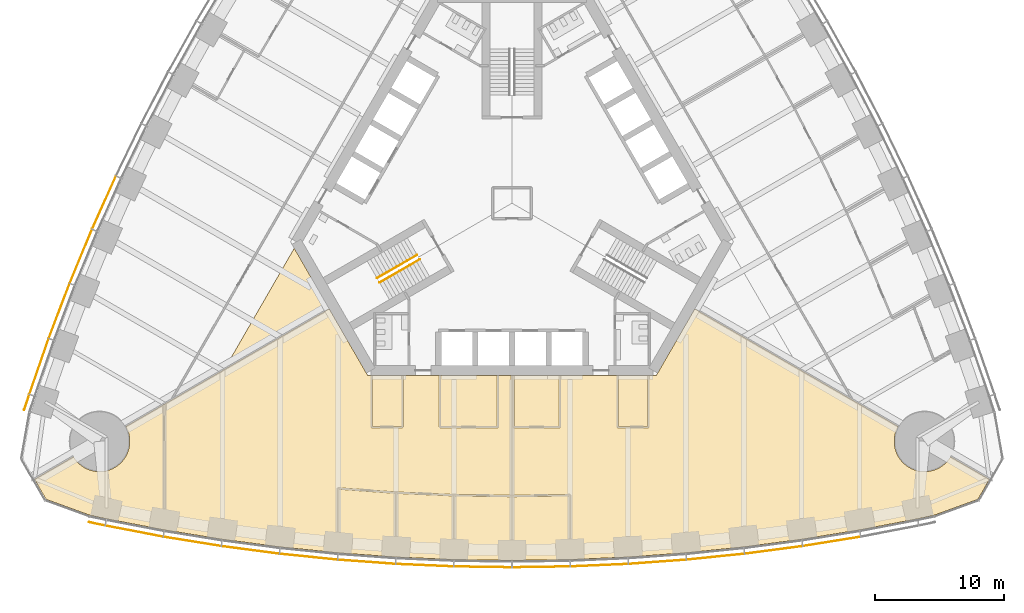
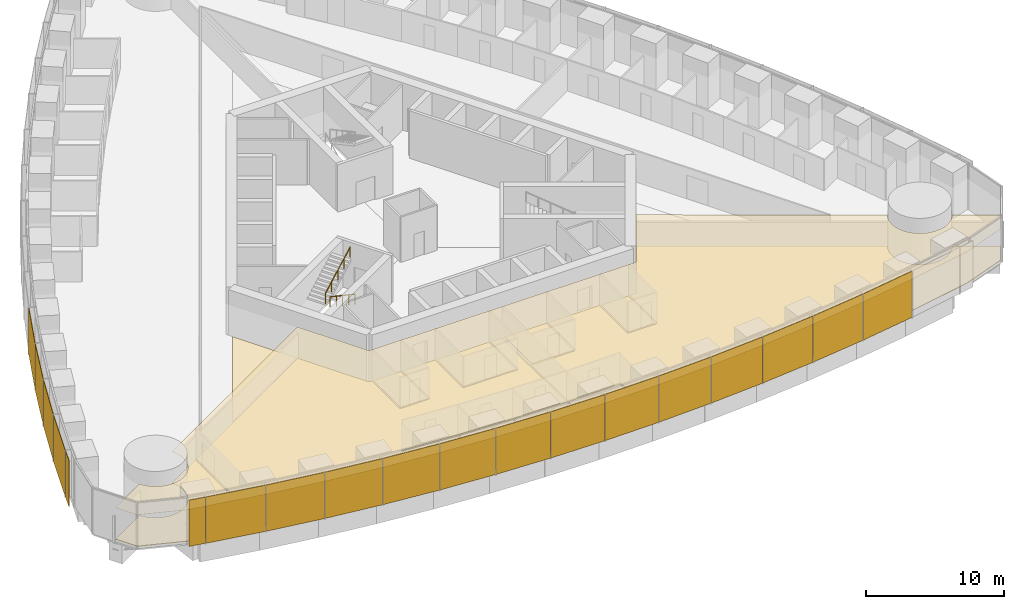
# One storey, part 14 of 18: 19 shading devices, 13 coverings, 2 railings.
"""IFC4 building model written with IfcOpenShell, lengths in metres."""

from ifc_helpers import new_model, si_unit, direction, frame, origin, origin_2d, place, context, subcontext, project, spatial, polyline, rectangle, circle, outline, extrude, material, layer, layer_set, type_object, element, save


model = new_model("IFC4")

# Units and contexts
model_context = context("Model", 3, precision=1e-05, world=origin(), true_north=direction((0.0, 1.0)))
body_context = subcontext(model_context, "Body", "Model", "MODEL_VIEW")
ifc_project = project(units=[si_unit("LENGTHUNIT", "METRE"), si_unit("AREAUNIT", "SQUARE_METRE"), si_unit("VOLUMEUNIT", "CUBIC_METRE"), si_unit("PLANEANGLEUNIT", "RADIAN"), si_unit("MASSUNIT", "GRAM", prefix="KILO")], contexts=[model_context])

# Site, building, storey
site_placement = place(None, origin())
site = spatial("IfcSite", under=ifc_project, at=site_placement, CompositionType="ELEMENT")
building_placement = place(site_placement, origin())
building = spatial("IfcBuilding", under=site, at=building_placement, Name="Trefoil Bronze Tower", CompositionType="ELEMENT")
storey_placement = place(building_placement, frame((0.0, 0.0, 75.300048828125)))
storey = spatial("IfcBuildingStorey", under=building, at=storey_placement, Name="L17", CompositionType="ELEMENT", Elevation=75.300048828125)

# Shading devices
ifc_material_1 = material(Name="Perforated bronze sheet", Category="bronze")
ifc_layer_1 = layer(ifc_material_1, 0.0400390625)
ifc_layer_set_1 = layer_set([ifc_layer_1], Name="Bronze solar screen panel")
shading_device_type = type_object("IfcShadingDeviceType", Name="Bronze solar screen panel", PredefinedType="SHUTTER", material=ifc_layer_set_1)
shading_device_1_placement = place(storey_placement, frame((-32.2431640625, -24.91064453125, 0.0498046875), z_axis=(0.0, 0.0, 1.0), x_axis=(0.978302717041, -0.207180582657, 0.0)))
element("IfcShadingDevice", 1, at=shading_device_1_placement, inside=storey, type_object=shading_device_type, Name="Solar screen CW-A L17 F1 bay 1", PredefinedType="SHUTTER", context=body_context, shape_type="SweptSolid", body=[
    extrude(rectangle(XDim=1.260498046875, YDim=0.0400390625, at=origin_2d()), origin(), (0.0, 0.0, 1.0), 4.10009765625),
])
shading_device_2_placement = place(storey_placement, frame((-29.351806640625, -25.478515625, 0.0498046875), z_axis=(0.0, 0.0, 1.0), x_axis=(0.982049823817, -0.188621694249, 0.0)))
element("IfcShadingDevice", 2, at=shading_device_2_placement, inside=storey, type_object=shading_device_type, Name="Solar screen CW-A L17 F1 bay 2", PredefinedType="SHUTTER", context=body_context, shape_type="SweptSolid", body=[
    extrude(rectangle(XDim=4.55224609375, YDim=0.0400390625, at=origin_2d()), origin(), (0.0, 0.0, 1.0), 4.10009765625),
])
shading_device_3_placement = place(storey_placement, frame((-24.836181640625, -26.277099609375, 0.0498046875), z_axis=(0.0, 0.0, 1.0), x_axis=(0.987181315145, -0.159602791421, 0.0)))
element("IfcShadingDevice", 3, at=shading_device_3_placement, inside=storey, type_object=shading_device_type, Name="Solar screen CW-A L17 F1 bay 3", PredefinedType="SHUTTER", context=body_context, shape_type="SweptSolid", body=[
    extrude(rectangle(XDim=4.5283203125, YDim=0.0400390625, at=origin_2d()), origin(), (0.0, 0.0, 1.0), 4.10009765625),
])
shading_device_4_placement = place(storey_placement, frame((-20.320556640625, -26.939697265625, 0.0498046875), z_axis=(0.0, 0.0, 1.0), x_axis=(0.991437251591, -0.130583981243, 0.0)))
element("IfcShadingDevice", 4, at=shading_device_4_placement, inside=storey, type_object=shading_device_type, Name="Solar screen CW-A L17 F1 bay 4", PredefinedType="SHUTTER", context=body_context, shape_type="SweptSolid", body=[
    extrude(rectangle(XDim=4.5087890625, YDim=0.0400390625, at=origin_2d()), origin(), (0.0, 0.0, 1.0), 4.10009765625),
])
shading_device_5_placement = place(storey_placement, frame((-15.804931640625, -27.467529296875, 0.0498046875), z_axis=(0.0, 0.0, 1.0), x_axis=(0.994828880293, -0.101565244717, 0.0)))
element("IfcShadingDevice", 5, at=shading_device_5_placement, inside=storey, type_object=shading_device_type, Name="Solar screen CW-A L17 F1 bay 5", PredefinedType="SHUTTER", context=body_context, shape_type="SweptSolid", body=[
    extrude(rectangle(XDim=4.493408203125, YDim=0.0400390625, at=origin_2d()), origin(), (0.0, 0.0, 1.0), 4.10009765625),
])
shading_device_6_placement = place(storey_placement, frame((-11.2890625, -27.8623046875, 0.0498046875), z_axis=(0.0, 0.0, 1.0), x_axis=(0.99736502647, -0.072546564177, 0.0)))
element("IfcShadingDevice", 6, at=shading_device_6_placement, inside=storey, type_object=shading_device_type, Name="Solar screen CW-A L17 F1 bay 6", PredefinedType="SHUTTER", context=body_context, shape_type="SweptSolid", body=[
    extrude(rectangle(XDim=4.48193359375, YDim=0.0400390625, at=origin_2d()), origin(), (0.0, 0.0, 1.0), 4.10009765625),
])
shading_device_7_placement = place(storey_placement, frame((-6.7734375, -28.124755859375, 0.0498046875), z_axis=(0.0, 0.0, 1.0), x_axis=(0.999052210809, -0.043527922969, 0.0)))
element("IfcShadingDevice", 7, at=shading_device_7_placement, inside=storey, type_object=shading_device_type, Name="Solar screen CW-A L17 F1 bay 7", PredefinedType="SHUTTER", context=body_context, shape_type="SweptSolid", body=[
    extrude(rectangle(XDim=4.474365234375, YDim=0.0400390625, at=origin_2d()), origin(), (0.0, 0.0, 1.0), 4.10009765625),
])
for number, where, z_axis, x_axis, name in (
    (8, (-2.2578125, -28.256103515625, 0.0498046875), (0.0, 0.0, 1.0), (0.999894734493, -0.014509305083, 0.0), "Solar screen CW-A L17 F1 bay 8"),
    (9, (2.2578125, -28.256103515625, 0.0498046875), (0.0, 0.0, 1.0), (0.999894734493, 0.014509305083, 0.0), "Solar screen CW-A L17 F1 bay 9"),
):
    element("IfcShadingDevice", number, at=place(storey_placement, frame(where, z_axis=z_axis, x_axis=x_axis)), inside=storey, type_object=shading_device_type, Name=name, PredefinedType="SHUTTER", context=body_context, shape_type="SweptSolid", body=[
        extrude(rectangle(XDim=4.470458984375, YDim=0.0400390625, at=origin_2d()), origin(), (0.0, 0.0, 1.0), 4.10009765625),
    ])
shading_device_8_placement = place(storey_placement, frame((6.7734375, -28.124755859375, 0.0498046875), z_axis=(0.0, 0.0, 1.0), x_axis=(0.999052210809, 0.043527922969, 0.0)))
element("IfcShadingDevice", 10, at=shading_device_8_placement, inside=storey, type_object=shading_device_type, Name="Solar screen CW-A L17 F1 bay 10", PredefinedType="SHUTTER", context=body_context, shape_type="SweptSolid", body=[
    extrude(rectangle(XDim=4.474365234375, YDim=0.0400390625, at=origin_2d()), origin(), (0.0, 0.0, 1.0), 4.10009765625),
])
shading_device_9_placement = place(storey_placement, frame((11.2890625, -27.8623046875, 0.0498046875), z_axis=(0.0, 0.0, 1.0), x_axis=(0.99736502647, 0.072546564177, 0.0)))
element("IfcShadingDevice", 11, at=shading_device_9_placement, inside=storey, type_object=shading_device_type, Name="Solar screen CW-A L17 F1 bay 11", PredefinedType="SHUTTER", context=body_context, shape_type="SweptSolid", body=[
    extrude(rectangle(XDim=4.48193359375, YDim=0.0400390625, at=origin_2d()), origin(), (0.0, 0.0, 1.0), 4.10009765625),
])
shading_device_10_placement = place(storey_placement, frame((15.804931640625, -27.467529296875, 0.0498046875), z_axis=(0.0, 0.0, 1.0), x_axis=(0.994828880293, 0.101565244717, 0.0)))
element("IfcShadingDevice", 12, at=shading_device_10_placement, inside=storey, type_object=shading_device_type, Name="Solar screen CW-A L17 F1 bay 12", PredefinedType="SHUTTER", context=body_context, shape_type="SweptSolid", body=[
    extrude(rectangle(XDim=4.493408203125, YDim=0.0400390625, at=origin_2d()), origin(), (0.0, 0.0, 1.0), 4.10009765625),
])
shading_device_11_placement = place(storey_placement, frame((20.320556640625, -26.939697265625, 0.0498046875), z_axis=(0.0, 0.0, 1.0), x_axis=(0.991437251591, 0.130583981243, 0.0)))
element("IfcShadingDevice", 13, at=shading_device_11_placement, inside=storey, type_object=shading_device_type, Name="Solar screen CW-A L17 F1 bay 13", PredefinedType="SHUTTER", context=body_context, shape_type="SweptSolid", body=[
    extrude(rectangle(XDim=4.5087890625, YDim=0.0400390625, at=origin_2d()), origin(), (0.0, 0.0, 1.0), 4.10009765625),
])
shading_device_12_placement = place(storey_placement, frame((24.836181640625, -26.277099609375, 0.0498046875), z_axis=(0.0, 0.0, 1.0), x_axis=(0.987181315145, 0.159602791421, 0.0)))
element("IfcShadingDevice", 14, at=shading_device_12_placement, inside=storey, type_object=shading_device_type, Name="Solar screen CW-A L17 F1 bay 14", PredefinedType="SHUTTER", context=body_context, shape_type="SweptSolid", body=[
    extrude(rectangle(XDim=4.5283203125, YDim=0.0400390625, at=origin_2d()), origin(), (0.0, 0.0, 1.0), 4.10009765625),
])
shading_device_13_placement = place(storey_placement, frame((-31.68994140625, 0.04638671875, 0.0498046875), z_axis=(0.0, 0.0, 1.0), x_axis=(-0.40945635808, -0.912329705111, 0.0)))
element("IfcShadingDevice", 15, at=shading_device_13_placement, inside=storey, type_object=shading_device_type, Name="Solar screen CW-A L17 F3 bay 12", PredefinedType="SHUTTER", context=body_context, shape_type="SweptSolid", body=[
    extrude(rectangle(XDim=4.493408203125, YDim=0.0400390625, at=origin_2d()), origin(), (0.0, 0.0, 1.0), 4.10009765625),
])
shading_device_14_placement = place(storey_placement, frame((-33.49072265625, -4.128173828125, 0.0498046875), z_axis=(0.0, 0.0, 1.0), x_axis=(-0.382629580712, -0.923901836758, 0.0)))
element("IfcShadingDevice", 16, at=shading_device_14_placement, inside=storey, type_object=shading_device_type, Name="Solar screen CW-A L17 F3 bay 13", PredefinedType="SHUTTER", context=body_context, shape_type="SweptSolid", body=[
    extrude(rectangle(XDim=4.5087890625, YDim=0.0400390625, at=origin_2d()), origin(), (0.0, 0.0, 1.0), 4.10009765625),
])
shading_device_15_placement = place(storey_placement, frame((-35.1748046875, -8.3701171875, 0.0498046875), z_axis=(0.0, 0.0, 1.0), x_axis=(-0.355370585687, -0.934725492767, 0.0)))
element("IfcShadingDevice", 17, at=shading_device_15_placement, inside=storey, type_object=shading_device_type, Name="Solar screen CW-A L17 F3 bay 14", PredefinedType="SHUTTER", context=body_context, shape_type="SweptSolid", body=[
    extrude(rectangle(XDim=4.5283203125, YDim=0.0400390625, at=origin_2d()), origin(), (0.0, 0.0, 1.0), 4.10009765625),
])
shading_device_16_placement = place(storey_placement, frame((-36.740966796875, -12.68017578125, 0.0498046875), z_axis=(0.0, 0.0, 1.0), x_axis=(-0.327673732984, -0.944790942332, 0.0)))
element("IfcShadingDevice", 18, at=shading_device_16_placement, inside=storey, type_object=shading_device_type, Name="Solar screen CW-A L17 F3 bay 15", PredefinedType="SHUTTER", context=body_context, shape_type="SweptSolid", body=[
    extrude(rectangle(XDim=4.55224609375, YDim=0.0400390625, at=origin_2d()), origin(), (0.0, 0.0, 1.0), 4.10009765625),
])
shading_device_17_placement = place(storey_placement, frame((-37.69482421875, -15.468017578125, 0.0498046875), z_axis=(0.0, 0.0, 1.0), x_axis=(-0.309727710769, -0.950825296877, 0.0)))
element("IfcShadingDevice", 19, at=shading_device_17_placement, inside=storey, type_object=shading_device_type, Name="Solar screen CW-A L17 F3 bay 16", PredefinedType="SHUTTER", context=body_context, shape_type="SweptSolid", body=[
    extrude(rectangle(XDim=1.260498046875, YDim=0.0400390625, at=origin_2d()), origin(), (0.0, 0.0, 1.0), 4.10009765625),
])

# Railings
ifc_material_2 = material(Name="Steel handrail", Category="steel")
railing_type = type_object("IfcRailingType", Name="Handrail 900", PredefinedType="HANDRAIL", material=ifc_material_2)
railing_1_placement = place(storey_placement, frame((-7.166015625, -4.3681640625, 0.161376953125)))
element("IfcRailing", 20, at=railing_1_placement, inside=storey, type_object=railing_type, Name="Handrail ST3 flight 1 L17", PredefinedType="HANDRAIL", context=body_context, shape_type="SweptSolid", body=[
    extrude(circle(Radius=0.02392578125, at=origin_2d()), frame((0.0, 0.0, 0.8759765625), z_axis=(-0.76250339821, -0.440245697338, 0.474101564745), x_axis=(0.500012057535, -0.866018442252, 0.0)), (0.0, 0.0, 1.0), 4.088623046875),
    extrude(circle(Radius=0.02099609375, at=origin_2d()), origin(), (0.0, 0.0, 1.0), 0.851806640625),
    extrude(circle(Radius=0.02099609375, at=origin_2d()), frame((-0.779296875, -0.449951171875, 0.484619140625)), (0.0, 0.0, 1.0), 0.851806640625),
    extrude(circle(Radius=0.02099609375, at=origin_2d()), frame((-1.558837890625, -0.89990234375, 0.96923828125)), (0.0, 0.0, 1.0), 0.851806640625),
    extrude(circle(Radius=0.02099609375, at=origin_2d()), frame((-2.33837890625, -1.35009765625, 1.453857421875)), (0.0, 0.0, 1.0), 0.851806640625),
    extrude(circle(Radius=0.02099609375, at=origin_2d()), frame((-3.11767578125, -1.800048828125, 1.9384765625)), (0.0, 0.0, 1.0), 0.851806640625),
])
railing_2_placement = place(storey_placement, frame((-10.483642578125, -5.82177734375, 2.261474609375)))
element("IfcRailing", 21, at=railing_2_placement, inside=storey, type_object=railing_type, Name="Handrail ST3 flight 2 L17", PredefinedType="HANDRAIL", context=body_context, shape_type="SweptSolid", body=[
    extrude(circle(Radius=0.02392578125, at=origin_2d()), frame((0.0, 0.0, 0.8759765625), z_axis=(0.76250339821, 0.440245697338, 0.474101564745), x_axis=(-0.500012057535, 0.866018442252, 0.0)), (0.0, 0.0, 1.0), 4.088623046875),
    extrude(circle(Radius=0.02099609375, at=origin_2d()), origin(), (0.0, 0.0, 1.0), 0.851806640625),
    extrude(circle(Radius=0.02099609375, at=origin_2d()), frame((0.779296875, 0.449951171875, 0.484619140625)), (0.0, 0.0, 1.0), 0.851806640625),
    extrude(circle(Radius=0.02099609375, at=origin_2d()), frame((1.558837890625, 0.89990234375, 0.96923828125)), (0.0, 0.0, 1.0), 0.851806640625),
    extrude(circle(Radius=0.02099609375, at=origin_2d()), frame((2.33837890625, 1.35009765625, 1.453857421875)), (0.0, 0.0, 1.0), 0.851806640625),
    extrude(circle(Radius=0.02099609375, at=origin_2d()), frame((3.11767578125, 1.800048828125, 1.9384765625)), (0.0, 0.0, 1.0), 0.851806640625),
])

# Coverings
ifc_material_3 = material(Name="Acoustic ceiling panels", Category="mineral fibre")
ifc_layer_2 = layer(ifc_material_3, 0.02001953125)
ifc_layer_set_2 = layer_set([ifc_layer_2], Name="Office ceiling 20")
covering_type_1 = type_object("IfcCoveringType", Name="Office ceiling 20", PredefinedType="CEILING", material=ifc_layer_set_2)
covering_1_placement = place(storey_placement, frame((0.0, 0.0, 2.89990234375)))
element("IfcCovering", 22, at=covering_1_placement, inside=storey, type_object=covering_type_1, Name="Ceiling L17 Open-plan office F1", PredefinedType="CEILING", context=body_context, shape_type="SweptSolid", body=[
    extrude(outline(polyline([(-33.996826171875, -19.8056640625), (-33.930419921875, -19.89990234375), (-33.859619140625, -19.99072265625), (-33.7841796875, -20.078125), (-33.70458984375, -20.16162109375), (-33.62109375, -20.2412109375), (-33.53369140625, -20.316650390625), (-33.44287109375, -20.387451171875), (-33.348388671875, -20.4541015625), (-33.251220703125, -20.515625), (-33.150634765625, -20.572509765625), (-33.047607421875, -20.62451171875), (-32.942138671875, -20.671142578125), (-32.834716796875, -20.712646484375), (-32.72509765625, -20.748779296875), (-32.614013671875, -20.779541015625), (-32.50146484375, -20.8046875), (-32.3876953125, -20.82470703125), (-32.273193359375, -20.838623046875), (-32.158203125, -20.84716796875), (-32.04296875, -20.85009765625), (-31.927490234375, -20.84716796875), (-31.8125, -20.838623046875), (-31.697998046875, -20.82470703125), (-31.58447265625, -20.8046875), (-31.471923828125, -20.779541015625), (-31.36083984375, -20.748779296875), (-31.251220703125, -20.712646484375), (-31.1435546875, -20.671142578125), (-31.0380859375, -20.62451171875), (-30.935302734375, -20.572509765625), (-30.834716796875, -20.515625), (-30.7373046875, -20.4541015625), (-30.64306640625, -20.387451171875), (-30.552001953125, -20.316650390625), (-30.46484375, -20.2412109375), (-30.381103515625, -20.16162109375), (-30.3017578125, -20.078125), (-30.226318359375, -19.99072265625), (-30.155517578125, -19.89990234375), (-30.089111328125, -19.8056640625), (-30.02734375, -19.7080078125), (-29.970458984375, -19.60791015625), (-29.918701171875, -19.5048828125), (-29.871826171875, -19.3994140625), (-29.830322265625, -19.291748046875), (-29.794189453125, -19.18212890625), (-29.763427734375, -19.071044921875), (-29.738037109375, -18.95849609375), (-29.718505859375, -18.8447265625), (-29.704345703125, -18.730224609375), (-29.69580078125, -18.615234375), (-29.69287109375, -18.5), (-29.69580078125, -18.384765625), (-29.704345703125, -18.269775390625), (-29.718505859375, -18.1552734375), (-29.738037109375, -18.04150390625), (-29.763427734375, -17.928955078125), (-29.794189453125, -17.81787109375), (-29.830322265625, -17.708251953125), (-29.871826171875, -17.6005859375), (-29.918701171875, -17.4951171875), (-29.970458984375, -17.39208984375), (-30.001953125, -17.336669921875), (-14.19970703125, -8.205322265625), (-11.20068359375, -13.39990234375), (11.20068359375, -13.39990234375), (14.19970703125, -8.205322265625), (30.001953125, -17.336669921875), (29.970458984375, -17.39208984375), (29.918701171875, -17.4951171875), (29.871826171875, -17.6005859375), (29.830322265625, -17.708251953125), (29.794189453125, -17.81787109375), (29.763427734375, -17.928955078125), (29.738037109375, -18.04150390625), (29.718505859375, -18.1552734375), (29.704345703125, -18.269775390625), (29.69580078125, -18.384765625), (29.69287109375, -18.5), (29.69580078125, -18.615234375), (29.704345703125, -18.730224609375), (29.718505859375, -18.8447265625), (29.738037109375, -18.95849609375), (29.763427734375, -19.071044921875), (29.794189453125, -19.18212890625), (29.830322265625, -19.291748046875), (29.871826171875, -19.3994140625), (29.918701171875, -19.5048828125), (29.970458984375, -19.60791015625), (30.02734375, -19.7080078125), (30.089111328125, -19.8056640625), (30.155517578125, -19.89990234375), (30.226318359375, -19.99072265625), (30.3017578125, -20.078125), (30.381103515625, -20.16162109375), (30.46484375, -20.2412109375), (30.552001953125, -20.316650390625), (30.64306640625, -20.387451171875), (30.7373046875, -20.4541015625), (30.834716796875, -20.515625), (30.935302734375, -20.572509765625), (31.0380859375, -20.62451171875), (31.1435546875, -20.671142578125), (31.251220703125, -20.712646484375), (31.36083984375, -20.748779296875), (31.471923828125, -20.779541015625), (31.58447265625, -20.8046875), (31.697998046875, -20.82470703125), (31.8125, -20.838623046875), (31.927490234375, -20.84716796875), (32.04296875, -20.85009765625), (32.158203125, -20.84716796875), (32.273193359375, -20.838623046875), (32.3876953125, -20.82470703125), (32.50146484375, -20.8046875), (32.614013671875, -20.779541015625), (32.72509765625, -20.748779296875), (32.834716796875, -20.712646484375), (32.942138671875, -20.671142578125), (33.047607421875, -20.62451171875), (33.150634765625, -20.572509765625), (33.251220703125, -20.515625), (33.348388671875, -20.4541015625), (33.44287109375, -20.387451171875), (33.53369140625, -20.316650390625), (33.62109375, -20.2412109375), (33.70458984375, -20.16162109375), (33.7841796875, -20.078125), (33.859619140625, -19.99072265625), (33.930419921875, -19.89990234375), (33.996826171875, -19.8056640625), (34.0703125, -19.6875), (37.094482421875, -21.43505859375), (36.190673828125, -23.0009765625), (32.762451171875, -24.248779296875), (31.5, -24.51611328125), (27.0, -25.38037109375), (22.5, -26.10791015625), (18.0, -26.70068359375), (13.5, -27.159912109375), (9.0, -27.4873046875), (4.5, -27.683349609375), (0.0, -27.748779296875), (-4.5, -27.683349609375), (-9.0, -27.4873046875), (-13.5, -27.159912109375), (-18.0, -26.70068359375), (-22.5, -26.10791015625), (-27.0, -25.38037109375), (-31.5, -24.51611328125), (-32.762451171875, -24.248779296875), (-36.190673828125, -23.0009765625), (-37.094482421875, -21.43505859375), (-34.0703125, -19.6875), (-33.996826171875, -19.8056640625)])), origin(), (0.0, 0.0, 1.0), 0.02001953125),
])
ifc_material_4 = material(Name="Raised access floor panels", Category="steel")
ifc_layer_3 = layer(ifc_material_4, 0.050048828125)
ifc_layer_set_3 = layer_set([ifc_layer_3], Name="Raised access floor 150")
covering_type_2 = type_object("IfcCoveringType", Name="Raised access floor 150", PredefinedType="FLOORING", material=ifc_layer_set_3)
covering_2_placement = place(storey_placement, frame((0.0, 0.0, 0.099853515625)))
element("IfcCovering", 23, at=covering_2_placement, inside=storey, type_object=covering_type_2, Name="Raised floor L17 Kitchen and breakout F1", PredefinedType="FLOORING", context=body_context, shape_type="SweptSolid", body=[
    extrude(outline(polyline([(-30.001953125, -17.336669921875), (-27.0, -15.60205078125), (-27.0, -15.652099609375), (-27.06005859375, -15.652099609375), (-27.06005859375, -23.72509765625), (-27.0, -23.72509765625), (-27.0, -25.38037109375), (-31.5, -24.51611328125), (-32.762451171875, -24.248779296875), (-36.190673828125, -23.0009765625), (-37.094482421875, -21.43505859375), (-34.0703125, -19.6875), (-33.996826171875, -19.8056640625), (-33.930419921875, -19.89990234375), (-33.859619140625, -19.99072265625), (-33.7841796875, -20.078125), (-33.70458984375, -20.16162109375), (-33.62109375, -20.2412109375), (-33.53369140625, -20.316650390625), (-33.44287109375, -20.387451171875), (-33.348388671875, -20.4541015625), (-33.251220703125, -20.515625), (-33.150634765625, -20.572509765625), (-33.047607421875, -20.62451171875), (-32.942138671875, -20.671142578125), (-32.834716796875, -20.712646484375), (-32.72509765625, -20.748779296875), (-32.614013671875, -20.779541015625), (-32.50146484375, -20.8046875), (-32.3876953125, -20.82470703125), (-32.273193359375, -20.838623046875), (-32.158203125, -20.84716796875), (-32.04296875, -20.85009765625), (-31.927490234375, -20.84716796875), (-31.8125, -20.838623046875), (-31.697998046875, -20.82470703125), (-31.58447265625, -20.8046875), (-31.471923828125, -20.779541015625), (-31.36083984375, -20.748779296875), (-31.251220703125, -20.712646484375), (-31.1435546875, -20.671142578125), (-31.0380859375, -20.62451171875), (-30.935302734375, -20.572509765625), (-30.834716796875, -20.515625), (-30.7373046875, -20.4541015625), (-30.64306640625, -20.387451171875), (-30.552001953125, -20.316650390625), (-30.46484375, -20.2412109375), (-30.381103515625, -20.16162109375), (-30.3017578125, -20.078125), (-30.226318359375, -19.99072265625), (-30.155517578125, -19.89990234375), (-30.089111328125, -19.8056640625), (-30.02734375, -19.7080078125), (-29.970458984375, -19.60791015625), (-29.918701171875, -19.5048828125), (-29.871826171875, -19.3994140625), (-29.830322265625, -19.291748046875), (-29.794189453125, -19.18212890625), (-29.763427734375, -19.071044921875), (-29.738037109375, -18.95849609375), (-29.718505859375, -18.8447265625), (-29.704345703125, -18.730224609375), (-29.69580078125, -18.615234375), (-29.69287109375, -18.5), (-29.69580078125, -18.384765625), (-29.704345703125, -18.269775390625), (-29.718505859375, -18.1552734375), (-29.738037109375, -18.04150390625), (-29.763427734375, -17.928955078125), (-29.794189453125, -17.81787109375), (-29.830322265625, -17.708251953125), (-29.871826171875, -17.6005859375), (-29.918701171875, -17.4951171875), (-29.970458984375, -17.39208984375), (-30.001953125, -17.336669921875)])), origin(), (0.0, 0.0, 1.0), 0.050048828125),
])
covering_3_placement = place(storey_placement, frame((0.0, 0.0, 0.099853515625)))
element("IfcCovering", 24, at=covering_3_placement, inside=storey, type_object=covering_type_2, Name="Raised floor L17 Project room F1", PredefinedType="FLOORING", context=body_context, shape_type="SweptSolid", body=[
    extrude(outline(polyline([(-1.159912109375, -13.39990234375), (-1.159912109375, -17.340087890625), (-5.5400390625, -17.340087890625), (-5.5400390625, -13.39990234375), (-1.159912109375, -13.39990234375)])), origin(), (0.0, 0.0, 1.0), 0.050048828125),
])
covering_4_placement = place(storey_placement, frame((0.0, 0.0, 0.099853515625)))
element("IfcCovering", 25, at=covering_4_placement, inside=storey, type_object=covering_type_2, Name="Raised floor L17 Meeting room F1", PredefinedType="FLOORING", context=body_context, shape_type="SweptSolid", body=[
    extrude(outline(polyline([(3.6650390625, -13.39990234375), (3.6650390625, -17.340087890625), (0.18505859375, -17.340087890625), (0.18505859375, -13.39990234375), (3.6650390625, -13.39990234375)])), origin(), (0.0, 0.0, 1.0), 0.050048828125),
])
covering_5_placement = place(storey_placement, frame((0.0, 0.0, 0.099853515625)))
element("IfcCovering", 26, at=covering_5_placement, inside=storey, type_object=covering_type_2, Name="Raised floor L17 Print and store room F1", PredefinedType="FLOORING", context=body_context, shape_type="SweptSolid", body=[
    extrude(outline(polyline([(-8.56005859375, -13.39990234375), (-8.56005859375, -17.340087890625), (-10.840087890625, -17.340087890625), (-10.840087890625, -13.39990234375), (-8.56005859375, -13.39990234375)])), origin(), (0.0, 0.0, 1.0), 0.050048828125),
])
covering_6_placement = place(storey_placement, frame((0.0, 0.0, 0.099853515625)))
element("IfcCovering", 27, at=covering_6_placement, inside=storey, type_object=covering_type_2, Name="Raised floor L17 Comms room F1", PredefinedType="FLOORING", context=body_context, shape_type="SweptSolid", body=[
    extrude(outline(polyline([(10.5400390625, -13.39990234375), (10.5400390625, -17.340087890625), (8.260009765625, -17.340087890625), (8.260009765625, -13.39990234375), (10.5400390625, -13.39990234375)])), origin(), (0.0, 0.0, 1.0), 0.050048828125),
])
covering_7_placement = place(storey_placement, frame((0.0, 0.0, 0.099853515625)))
element("IfcCovering", 28, at=covering_7_placement, inside=storey, type_object=covering_type_2, Name="Raised floor L17 Office F1", PredefinedType="FLOORING", context=body_context, shape_type="SweptSolid", body=[
    extrude(outline(polyline([(-9.0, -27.4873046875), (-13.5, -27.159912109375), (-13.5, -25.52392578125), (-13.43994140625, -25.52392578125), (-13.43994140625, -22.224609375), (-9.06005859375, -22.543212890625), (-9.06005859375, -25.8544921875), (-9.0, -25.8544921875), (-9.0, -27.4873046875)])), origin(), (0.0, 0.0, 1.0), 0.050048828125),
])
covering_8_placement = place(storey_placement, frame((0.0, 0.0, 0.099853515625)))
element("IfcCovering", 29, at=covering_8_placement, inside=storey, type_object=covering_type_2, Name="Raised floor L17 Office F1", PredefinedType="FLOORING", context=body_context, shape_type="SweptSolid", body=[
    extrude(outline(polyline([(-4.5, -27.683349609375), (-9.0, -27.4873046875), (-9.0, -25.8544921875), (-8.93994140625, -25.8544921875), (-8.93994140625, -22.550048828125), (-4.56005859375, -22.740966796875), (-4.56005859375, -26.052734375), (-4.5, -26.052734375), (-4.5, -27.683349609375)])), origin(), (0.0, 0.0, 1.0), 0.050048828125),
])
covering_9_placement = place(storey_placement, frame((0.0, 0.0, 0.099853515625)))
element("IfcCovering", 30, at=covering_9_placement, inside=storey, type_object=covering_type_2, Name="Raised floor L17 Office F1", PredefinedType="FLOORING", context=body_context, shape_type="SweptSolid", body=[
    extrude(outline(polyline([(0.0, -27.748779296875), (-4.5, -27.683349609375), (-4.5, -26.052734375), (-4.43994140625, -26.052734375), (-4.43994140625, -22.744384765625), (-0.074951171875, -22.8076171875), (-0.074951171875, -26.11865234375), (0.0, -26.11865234375), (0.0, -27.748779296875)])), origin(), (0.0, 0.0, 1.0), 0.050048828125),
])
covering_10_placement = place(storey_placement, frame((0.0, 0.0, 0.099853515625)))
element("IfcCovering", 31, at=covering_10_placement, inside=storey, type_object=covering_type_2, Name="Raised floor L17 Office F1", PredefinedType="FLOORING", context=body_context, shape_type="SweptSolid", body=[
    extrude(outline(polyline([(4.5, -27.683349609375), (0.0, -27.748779296875), (0.0, -26.11865234375), (0.074951171875, -26.11865234375), (0.074951171875, -22.8076171875), (4.43994140625, -22.744384765625), (4.43994140625, -26.052734375), (4.5, -26.052734375), (4.5, -27.683349609375)])), origin(), (0.0, 0.0, 1.0), 0.050048828125),
])
covering_11_placement = place(storey_placement, frame((0.0, 0.0, 0.099853515625)))
element("IfcCovering", 32, at=covering_11_placement, inside=storey, type_object=covering_type_2, Name="Raised floor L17 Open-plan office F1", PredefinedType="FLOORING", context=body_context, shape_type="SweptSolid", body=[
    extrude(outline(polyline([(4.5, -27.683349609375), (4.5, -26.052734375), (4.56005859375, -26.052734375), (4.56005859375, -22.683349609375), (4.5, -22.683349609375), (4.4990234375, -22.623291015625), (0.074951171875, -22.6875), (0.074951171875, -17.39990234375), (0.125, -17.39990234375), (0.125, -17.4599609375), (3.72509765625, -17.4599609375), (3.72509765625, -17.39990234375), (3.784912109375, -17.39990234375), (3.784912109375, -13.39990234375), (8.139892578125, -13.39990234375), (8.139892578125, -17.39990234375), (8.199951171875, -17.39990234375), (8.199951171875, -17.4599609375), (10.60009765625, -17.4599609375), (10.60009765625, -17.39990234375), (10.659912109375, -17.39990234375), (10.659912109375, -13.39990234375), (11.20068359375, -13.39990234375), (14.19970703125, -8.205322265625), (30.001953125, -17.336669921875), (29.970458984375, -17.39208984375), (29.918701171875, -17.4951171875), (29.871826171875, -17.6005859375), (29.830322265625, -17.708251953125), (29.794189453125, -17.81787109375), (29.763427734375, -17.928955078125), (29.738037109375, -18.04150390625), (29.718505859375, -18.1552734375), (29.704345703125, -18.269775390625), (29.69580078125, -18.384765625), (29.69287109375, -18.5), (29.69580078125, -18.615234375), (29.704345703125, -18.730224609375), (29.718505859375, -18.8447265625), (29.738037109375, -18.95849609375), (29.763427734375, -19.071044921875), (29.794189453125, -19.18212890625), (29.830322265625, -19.291748046875), (29.871826171875, -19.3994140625), (29.918701171875, -19.5048828125), (29.970458984375, -19.60791015625), (30.02734375, -19.7080078125), (30.089111328125, -19.8056640625), (30.155517578125, -19.89990234375), (30.226318359375, -19.99072265625), (30.3017578125, -20.078125), (30.381103515625, -20.16162109375), (30.46484375, -20.2412109375), (30.552001953125, -20.316650390625), (30.64306640625, -20.387451171875), (30.7373046875, -20.4541015625), (30.834716796875, -20.515625), (30.935302734375, -20.572509765625), (31.0380859375, -20.62451171875), (31.1435546875, -20.671142578125), (31.251220703125, -20.712646484375), (31.36083984375, -20.748779296875), (31.471923828125, -20.779541015625), (31.58447265625, -20.8046875), (31.697998046875, -20.82470703125), (31.8125, -20.838623046875), (31.927490234375, -20.84716796875), (32.04296875, -20.85009765625), (32.158203125, -20.84716796875), (32.273193359375, -20.838623046875), (32.3876953125, -20.82470703125), (32.50146484375, -20.8046875), (32.614013671875, -20.779541015625), (32.72509765625, -20.748779296875), (32.834716796875, -20.712646484375), (32.942138671875, -20.671142578125), (33.047607421875, -20.62451171875), (33.150634765625, -20.572509765625), (33.251220703125, -20.515625), (33.348388671875, -20.4541015625), (33.44287109375, -20.387451171875), (33.53369140625, -20.316650390625), (33.62109375, -20.2412109375), (33.70458984375, -20.16162109375), (33.7841796875, -20.078125), (33.859619140625, -19.99072265625), (33.930419921875, -19.89990234375), (33.996826171875, -19.8056640625), (34.0703125, -19.6875), (37.094482421875, -21.43505859375), (36.190673828125, -23.0009765625), (32.762451171875, -24.248779296875), (31.5, -24.51611328125), (27.0, -25.38037109375), (22.5, -26.10791015625), (18.0, -26.70068359375), (13.5, -27.159912109375), (9.0, -27.4873046875), (4.5, -27.683349609375)])), origin(), (0.0, 0.0, 1.0), 0.050048828125),
])
covering_12_placement = place(storey_placement, frame((0.0, 0.0, 0.099853515625)))
element("IfcCovering", 33, at=covering_12_placement, inside=storey, type_object=covering_type_2, Name="Raised floor L17 Open-plan office F1", PredefinedType="FLOORING", context=body_context, shape_type="SweptSolid", body=[
    extrude(outline(polyline([(-14.19970703125, -8.205322265625), (-11.20068359375, -13.39990234375), (-10.9599609375, -13.39990234375), (-10.9599609375, -17.39990234375), (-10.89990234375, -17.39990234375), (-10.89990234375, -17.4599609375), (-8.5, -17.4599609375), (-8.5, -17.39990234375), (-8.43994140625, -17.39990234375), (-8.43994140625, -13.39990234375), (-5.659912109375, -13.39990234375), (-5.659912109375, -17.39990234375), (-5.60009765625, -17.39990234375), (-5.60009765625, -17.4599609375), (-1.10009765625, -17.4599609375), (-1.10009765625, -17.39990234375), (-1.0400390625, -17.39990234375), (-1.0400390625, -13.39990234375), (-0.0009765625, -13.39990234375), (-0.0009765625, -13.409912109375), (-0.074951171875, -13.409912109375), (-0.074951171875, -22.6875), (-4.498291015625, -22.623291015625), (-8.99658203125, -22.427490234375), (-13.49560546875, -22.10009765625), (-13.5, -22.159912109375), (-13.56005859375, -22.159912109375), (-13.56005859375, -25.52392578125), (-13.5, -25.52392578125), (-13.5, -27.159912109375), (-18.0, -26.70068359375), (-22.5, -26.10791015625), (-27.0, -25.38037109375), (-27.0, -23.72509765625), (-26.93994140625, -23.72509765625), (-26.93994140625, -15.652099609375), (-27.0, -15.652099609375), (-27.0, -15.60205078125), (-14.19970703125, -8.205322265625)])), origin(), (0.0, 0.0, 1.0), 0.050048828125),
])
covering_13_placement = place(storey_placement, frame((0.0, 0.0, 0.099853515625)))
element("IfcCovering", 34, at=covering_13_placement, inside=storey, type_object=covering_type_2, Name="Raised floor L17 Open-plan office F3", PredefinedType="FLOORING", context=body_context, shape_type="SweptSolid", body=[
    extrude(outline(polyline([(-14.205810546875, -8.194580078125), (-22.333740234375, -12.88330078125), (-16.91650390625, -3.5), (-14.205810546875, -8.194580078125)])), origin(), (0.0, 0.0, 1.0), 0.050048828125),
])

save(model, "model.ifc")
